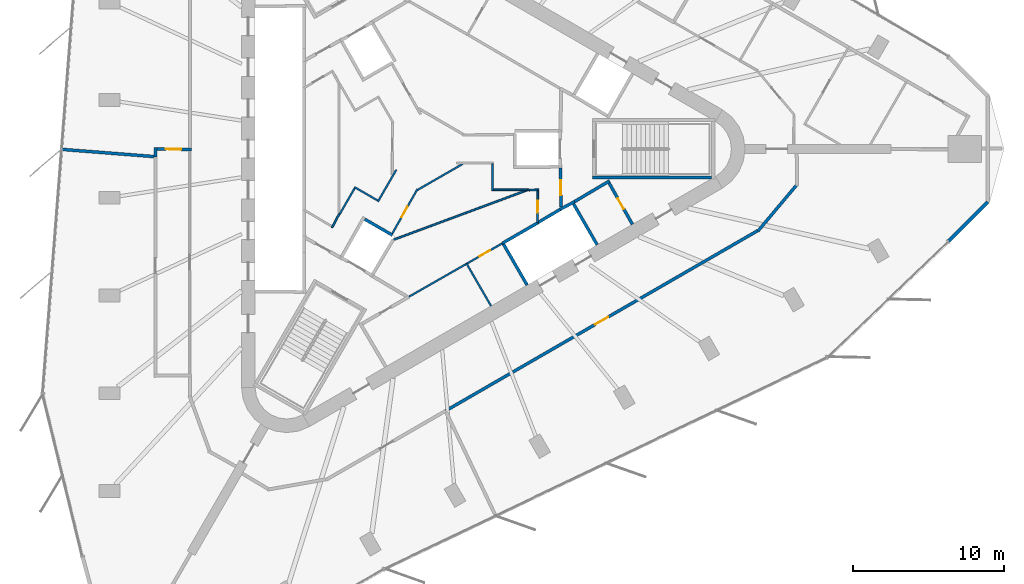
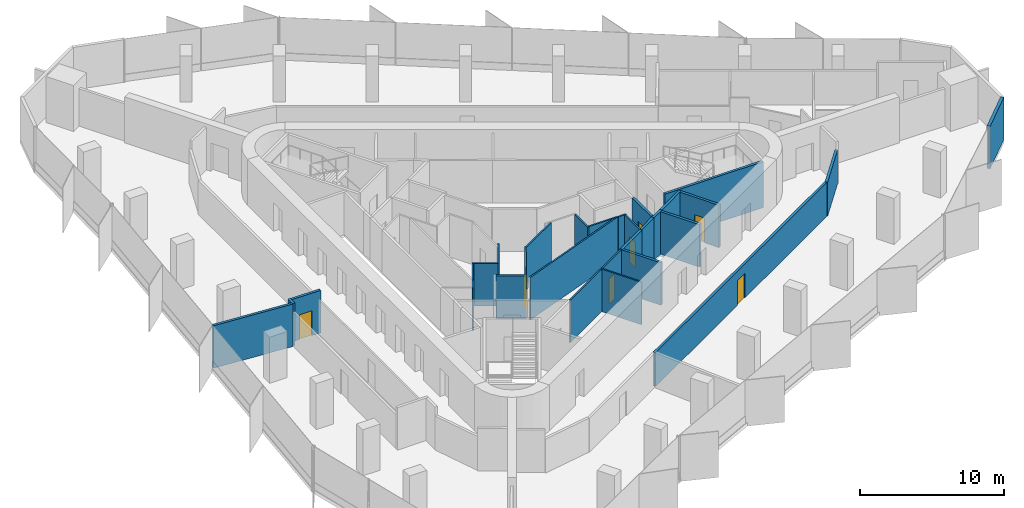
# One storey, part 9 of 14: 29 walls, 7 doors, 7 openings.
"""IFC4 building model written with IfcOpenShell, lengths in metres."""

from ifc_helpers import new_model, si_unit, direction, frame, frame_2d, origin, place, context, subcontext, project, spatial, rectangle, extrude, material, layer, layer_set, type_object, element, fill, save


model = new_model("IFC4")

# Units and contexts
model_context = context("Model", 3, precision=1e-05, world=origin(), true_north=direction((0.0, 1.0)))
body_context = subcontext(model_context, "Body", "Model", "MODEL_VIEW")
ifc_project = project(units=[si_unit("LENGTHUNIT", "METRE"), si_unit("AREAUNIT", "SQUARE_METRE"), si_unit("VOLUMEUNIT", "CUBIC_METRE"), si_unit("PLANEANGLEUNIT", "RADIAN"), si_unit("MASSUNIT", "GRAM", prefix="KILO")], contexts=[model_context])

# Site, building, storey
site_placement = place(None, origin())
site = spatial("IfcSite", under=ifc_project, at=site_placement, CompositionType="ELEMENT")
building_placement = place(site_placement, origin())
building = spatial("IfcBuilding", under=site, at=building_placement, Name="Tanit Gate Tower", CompositionType="ELEMENT")
storey_placement = place(building_placement, frame((0.0, 0.0, 306.5)))
storey = spatial("IfcBuildingStorey", under=building, at=storey_placement, Name="L68", CompositionType="ELEMENT", Elevation=306.5)

# Walls
ifc_material_1 = material(Name="Concrete C30/37 with bronze anodised aluminium cladding", Category="concrete")
ifc_layer_1 = layer(ifc_material_1, 0.239990234375)
ifc_layer_set_1 = layer_set([ifc_layer_1], Name="Facade wall bronze clad 240")
wall_type_1 = type_object("IfcWallType", Name="Facade wall bronze clad 240", PredefinedType="SOLIDWALL", material=ifc_layer_set_1)
wall_1_placement = place(storey_placement, frame((34.6767578125, -6.097900390625, 0.0), z_axis=(0.0, 0.0, 1.0), x_axis=(0.707106781187, 0.707106781187, 0.0)))
element("IfcWall", 1, at=wall_1_placement, inside=storey, type_object=wall_type_1, Name="Bronze-clad facade wall L68 E.arc1", PredefinedType="SOLIDWALL", context=body_context, shape_type="SweptSolid", body=[
    extrude(rectangle(XDim=3.66259765625, YDim=0.239990234375, at=frame_2d((1.831298828125, 0.0))), origin(), (0.0, 0.0, 1.0), 3.60009765625),
])
ifc_material_2 = material(Name="Fire-rated gypsum board partition")
ifc_layer_2 = layer(ifc_material_2, 0.199951171875)
ifc_layer_set_2 = layer_set([ifc_layer_2], Name="INT-WALL-COMPARTMENT")
wall_type_2 = type_object("IfcWallType", Name="INT-WALL-COMPARTMENT", PredefinedType="PARTITIONING", material=ifc_layer_set_2)
wall_2_placement = place(storey_placement, frame((12.244873046875, -2.10888671875, 0.0), z_axis=(0.0, 0.0, 1.0), x_axis=(-0.860414880418, -0.509594185166, 0.0)))
element("IfcWall", 2, at=wall_2_placement, inside=storey, type_object=wall_type_2, Name="Wall Compartment W057", PredefinedType="PARTITIONING", context=body_context, shape_type="SweptSolid", body=[
    extrude(rectangle(XDim=2.7001953125, YDim=0.199951171875, at=frame_2d((1.35009765625, 0.0))), origin(), (0.0, 0.0, 1.0), 3.60009765625),
])

# Wall, opening, door
wall_3_placement = place(storey_placement, frame((13.758056640625, -4.989501953125, 0.0), z_axis=(0.0, 0.0, 1.0), x_axis=(-0.491993409184, 0.87059892334, 0.0)))
wall_3 = element("IfcWall", 3, at=wall_3_placement, inside=storey, type_object=wall_type_2, Name="Wall Compartment W058", PredefinedType="PARTITIONING", context=body_context, shape_type="SweptSolid", body=[
    extrude(rectangle(XDim=3.150146484375, YDim=0.199951171875, at=frame_2d((1.5751953125, 0.0))), origin(), (0.0, 0.0, 1.0), 3.60009765625),
])
opening_1_placement = place(wall_3_placement, frame((1.175048828125, 0.0, 0.0)))
opening_1 = element("IfcOpeningElement", 4, at=opening_1_placement, cuts=wall_3, Name="Opening R08-S18-20", PredefinedType="OPENING", context=body_context, shape_type="SweptSolid", body=[
    extrude(rectangle(XDim=0.800048828125, YDim=2.10009765625, at=frame_2d((0.39990234375, 1.050048828125))), frame((0.0, 0.10986328125, 0.0), z_axis=(0.0, -1.0, 0.0), x_axis=(1.0, 0.0, 0.0)), (0.0, 0.0, 1.0), 0.219970703125),
])
ifc_material_3 = material(Name="Timber door leaf", Category="wood")
door_type_1 = type_object("IfcDoorType", Name="INT-DOOR-RISER-800", OperationType="NOTDEFINED", PredefinedType="USERDEFINED", material=ifc_material_3)
door_1_placement = place(opening_1_placement, origin())
door_1 = element("IfcDoor", 5, at=door_1_placement, inside=storey, type_object=door_type_1, Name="Door R08-S18-20", ObjectType="FIRE DOOR", OperationType="SINGLE_SWING_RIGHT", OverallHeight=2.10009765625, OverallWidth=0.800048828125, PredefinedType="USERDEFINED", context=body_context, shape_type="SweptSolid", body=[
    extrude(rectangle(XDim=0.800048828125, YDim=2.10009765625, at=frame_2d((0.39990234375, 1.050048828125))), frame((0.0, 0.02490234375, 0.0), z_axis=(0.0, -1.0, 0.0), x_axis=(1.0, 0.0, 0.0)), (0.0, 0.0, 1.0), 0.050048828125),
])
fill(opening_1, door_1)

wall_4_placement = place(storey_placement, frame((9.02880859375, -3.850830078125, 0.0), z_axis=(0.0, 0.0, 1.0), x_axis=(-0.010783593937, 0.99994185536, 0.0)))
wall_4 = element("IfcWall", 6, at=wall_4_placement, inside=storey, type_object=wall_type_2, Name="Wall Compartment W060", PredefinedType="PARTITIONING", context=body_context, shape_type="SweptSolid", body=[
    extrude(rectangle(XDim=2.5810546875, YDim=0.199951171875, at=frame_2d((1.29052734375, 0.0))), origin(), (0.0, 0.0, 1.0), 3.60009765625),
])
opening_2_placement = place(wall_4_placement, frame((0.79052734375, 0.0, 0.0)))
opening_2 = element("IfcOpeningElement", 7, at=opening_2_placement, cuts=wall_4, Name="Opening F10-S18-02", PredefinedType="OPENING", context=body_context, shape_type="SweptSolid", body=[
    extrude(rectangle(XDim=1.0, YDim=2.10009765625, at=frame_2d((0.5, 1.050048828125))), frame((0.0, 0.10986328125, 0.0), z_axis=(0.0, -1.0, 0.0), x_axis=(1.0, 0.0, 0.0)), (0.0, 0.0, 1.0), 0.219970703125),
])
ifc_material_4 = material(Name="Fire-rated steel door leaf", Category="steel")
door_type_2 = type_object("IfcDoorType", Name="INT-DOOR-FIRE-1000", OperationType="NOTDEFINED", PredefinedType="USERDEFINED", material=ifc_material_4)
door_2_placement = place(opening_2_placement, origin())
door_2 = element("IfcDoor", 8, at=door_2_placement, inside=storey, type_object=door_type_2, Name="Door F10-S18-02", ObjectType="FIRE DOOR", OperationType="SINGLE_SWING_RIGHT", OverallHeight=2.10009765625, OverallWidth=1.0, PredefinedType="USERDEFINED", context=body_context, shape_type="SweptSolid", body=[
    extrude(rectangle(XDim=1.0, YDim=2.10009765625, at=frame_2d((0.5, 1.050048828125))), frame((0.0, 0.02490234375, 0.0), z_axis=(0.0, -1.0, 0.0), x_axis=(1.0, 0.0, 0.0)), (0.0, 0.0, 1.0), 0.050048828125),
])
fill(opening_2, door_2)

# Wall
wall_5_placement = place(storey_placement, frame((-17.800048828125, 0.10009765625, 0.0), z_axis=(0.0, 0.0, 1.0), x_axis=(0.0, -1.0, 0.0)))
element("IfcWall", 9, at=wall_5_placement, inside=storey, type_object=wall_type_2, Name="Wall Compartment W091", PredefinedType="PARTITIONING", context=body_context, shape_type="SweptSolid", body=[
    extrude(rectangle(XDim=0.635009765625, YDim=0.199951171875, at=frame_2d((0.3173828125, 0.0))), origin(), (0.0, 0.0, 1.0), 3.60009765625),
])

# Wall, opening, door
wall_6_placement = place(storey_placement, frame((-15.39990234375, -0.03125, 0.0), z_axis=(0.0, 0.0, 1.0), x_axis=(-0.999914782125, 0.013054826261, 0.0)))
wall_6 = element("IfcWall", 10, at=wall_6_placement, inside=storey, type_object=wall_type_2, Name="Wall Compartment W092", PredefinedType="PARTITIONING", context=body_context, shape_type="SweptSolid", body=[
    extrude(rectangle(XDim=2.30029296875, YDim=0.199951171875, at=frame_2d((1.150146484375, 0.0))), origin(), (0.0, 0.0, 1.0), 3.60009765625),
])
opening_3_placement = place(wall_6_placement, frame((0.7001953125, 0.0, 0.0)))
opening_3 = element("IfcOpeningElement", 11, at=opening_3_placement, cuts=wall_6, Name="Opening F10-S18-27", PredefinedType="OPENING", context=body_context, shape_type="SweptSolid", body=[
    extrude(rectangle(XDim=1.0, YDim=2.10009765625, at=frame_2d((0.5, 1.050048828125))), frame((0.0, 0.10986328125, 0.0), z_axis=(0.0, -1.0, 0.0), x_axis=(1.0, 0.0, 0.0)), (0.0, 0.0, 1.0), 0.219970703125),
])
door_3_placement = place(opening_3_placement, origin())
door_3 = element("IfcDoor", 12, at=door_3_placement, inside=storey, type_object=door_type_2, Name="Door F10-S18-27", ObjectType="FIRE DOOR", OperationType="SINGLE_SWING_RIGHT", OverallHeight=2.10009765625, OverallWidth=1.0, PredefinedType="USERDEFINED", context=body_context, shape_type="SweptSolid", body=[
    extrude(rectangle(XDim=1.0, YDim=2.10009765625, at=frame_2d((0.5, 1.050048828125))), frame((0.0, 0.02490234375, 0.0), z_axis=(0.0, -1.0, 0.0), x_axis=(1.0, 0.0, 0.0)), (0.0, 0.0, 1.0), 0.050048828125),
])
fill(opening_3, door_3)

# Wall
wall_7_placement = place(storey_placement, frame((22.05419921875, -5.435302734375, 0.0), z_axis=(0.0, 0.0, 1.0), x_axis=(0.642790979996, 0.766041615081, 0.0)))
element("IfcWall", 13, at=wall_7_placement, inside=storey, type_object=wall_type_2, Name="Wall Compartment W107", PredefinedType="PARTITIONING", context=body_context, shape_type="SweptSolid", body=[
    extrude(rectangle(XDim=3.9833984375, YDim=0.199951171875, at=frame_2d((1.99169921875, 0.0))), origin(), (0.0, 0.0, 1.0), 2.8798828125),
])

# Wall, opening, door
wall_8_placement = place(storey_placement, frame((1.415283203125, -17.311767578125, 0.0), z_axis=(0.0, 0.0, 1.0), x_axis=(0.866022488339, 0.500005049665, 0.0)))
wall_8 = element("IfcWall", 14, at=wall_8_placement, inside=storey, type_object=wall_type_2, Name="Wall Compartment W108", PredefinedType="PARTITIONING", context=body_context, shape_type="SweptSolid", body=[
    extrude(rectangle(XDim=23.805908203125, YDim=0.199951171875, at=frame_2d((11.90283203125, 0.0))), origin(), (0.0, 0.0, 1.0), 2.8798828125),
])
opening_4_placement = place(wall_8_placement, frame((11.40283203125, 0.0, 0.0)))
opening_4 = element("IfcOpeningElement", 15, at=opening_4_placement, cuts=wall_8, Name="Opening F10-S18-29", PredefinedType="OPENING", context=body_context, shape_type="SweptSolid", body=[
    extrude(rectangle(XDim=1.0, YDim=2.10009765625, at=frame_2d((0.5, 1.050048828125))), frame((0.0, 0.10986328125, 0.0), z_axis=(0.0, -1.0, 0.0), x_axis=(1.0, 0.0, 0.0)), (0.0, 0.0, 1.0), 0.219970703125),
])
door_4_placement = place(opening_4_placement, origin())
door_4 = element("IfcDoor", 16, at=door_4_placement, inside=storey, type_object=door_type_2, Name="Door F10-S18-29", ObjectType="FIRE DOOR", OperationType="SINGLE_SWING_RIGHT", OverallHeight=2.10009765625, OverallWidth=1.0, PredefinedType="USERDEFINED", context=body_context, shape_type="SweptSolid", body=[
    extrude(rectangle(XDim=1.0, YDim=2.10009765625, at=frame_2d((0.5, 1.050048828125))), frame((0.0, 0.02490234375, 0.0), z_axis=(0.0, -1.0, 0.0), x_axis=(1.0, 0.0, 0.0)), (0.0, 0.0, 1.0), 0.050048828125),
])
fill(opening_4, door_4)

# Walls
wall_9_placement = place(storey_placement, frame((-23.9921875, -0.027587890625, 0.0), z_axis=(0.0, 0.0, 1.0), x_axis=(0.996966889937, -0.077826861489, 0.0)))
element("IfcWall", 17, at=wall_9_placement, inside=storey, type_object=wall_type_2, Name="Wall Compartment W112", PredefinedType="PARTITIONING", context=body_context, shape_type="SweptSolid", body=[
    extrude(rectangle(XDim=6.11083984375, YDim=0.199951171875, at=frame_2d((3.055419921875, 0.0))), origin(), (0.0, 0.0, 1.0), 3.60009765625),
])
ifc_material_5 = material(Name="Gypsum board partition")
ifc_layer_3 = layer(ifc_material_5, 0.1201171875)
ifc_layer_set_3 = layer_set([ifc_layer_3], Name="INT-WALL-PARTITION")
wall_type_3 = type_object("IfcWallType", Name="INT-WALL-PARTITION", PredefinedType="PARTITIONING", material=ifc_layer_set_3)
wall_10_placement = place(storey_placement, frame((4.40478515625, -10.389404296875, 0.0), z_axis=(0.0, 0.0, 1.0), x_axis=(-0.500017246033, 0.866015446554, 0.0)))
element("IfcWall", 18, at=wall_10_placement, inside=storey, type_object=wall_type_3, Name="Wall Partition W052", PredefinedType="PARTITIONING", context=body_context, shape_type="SweptSolid", body=[
    extrude(rectangle(XDim=3.25, YDim=0.1201171875, at=frame_2d((1.625, 0.0))), origin(), (0.0, 0.0, 1.0), 3.60009765625),
])

# Wall, opening, door
wall_11_placement = place(storey_placement, frame((-1.02392578125, -9.771240234375, 0.0), z_axis=(0.0, 0.0, 1.0), x_axis=(0.868110220015, 0.496371479746, 0.0)))
wall_11 = element("IfcWall", 19, at=wall_11_placement, inside=storey, type_object=wall_type_3, Name="Wall Partition W055", PredefinedType="PARTITIONING", context=body_context, shape_type="SweptSolid", body=[
    extrude(rectangle(XDim=7.12255859375, YDim=0.1201171875, at=frame_2d((3.561279296875, 0.0))), origin(), (0.0, 0.0, 1.0), 3.60009765625),
])
opening_5_placement = place(wall_11_placement, frame((5.37255859375, 0.0, 0.0)))
opening_5 = element("IfcOpeningElement", 20, at=opening_5_placement, cuts=wall_11, Name="Opening R08-S18-19", PredefinedType="OPENING", context=body_context, shape_type="SweptSolid", body=[
    extrude(rectangle(XDim=0.800048828125, YDim=2.10009765625, at=frame_2d((0.39990234375, 1.050048828125))), frame((0.0, 0.070068359375, 0.0), z_axis=(0.0, -1.0, 0.0), x_axis=(1.0, 0.0, 0.0)), (0.0, 0.0, 1.0), 0.14013671875),
])
door_5_placement = place(opening_5_placement, origin())
door_5 = element("IfcDoor", 21, at=door_5_placement, inside=storey, type_object=door_type_1, Name="Door R08-S18-19", ObjectType="FIRE DOOR", OperationType="SINGLE_SWING_RIGHT", OverallHeight=2.10009765625, OverallWidth=0.800048828125, PredefinedType="USERDEFINED", context=body_context, shape_type="SweptSolid", body=[
    extrude(rectangle(XDim=0.800048828125, YDim=2.10009765625, at=frame_2d((0.39990234375, 1.050048828125))), frame((0.0, 0.02490234375, 0.0), z_axis=(0.0, -1.0, 0.0), x_axis=(1.0, 0.0, 0.0)), (0.0, 0.0, 1.0), 0.050048828125),
])
fill(opening_5, door_5)

# Wall
wall_12_placement = place(storey_placement, frame((6.9052734375, -2.67919921875, 0.0), z_axis=(0.0, 0.0, 1.0), x_axis=(-0.937260745886, -0.348629164331, 0.0)))
element("IfcWall", 22, at=wall_12_placement, inside=storey, type_object=wall_type_3, Name="Wall Partition W068", PredefinedType="PARTITIONING", context=body_context, shape_type="SweptSolid", body=[
    extrude(rectangle(XDim=9.540771484375, YDim=0.1201171875, at=frame_2d((4.7705078125, 0.0))), origin(), (0.0, 0.0, 1.0), 3.60009765625),
])

# Wall, opening, door
wall_13_placement = place(storey_placement, frame((-0.4658203125, -2.655029296875, 0.0), z_axis=(0.0, 0.0, 1.0), x_axis=(-0.49235580986, -0.870394023703, 0.0)))
wall_13 = element("IfcWall", 23, at=wall_13_placement, inside=storey, type_object=wall_type_3, Name="Wall Partition W069", PredefinedType="PARTITIONING", context=body_context, shape_type="SweptSolid", body=[
    extrude(rectangle(XDim=3.367919921875, YDim=0.1201171875, at=frame_2d((1.68408203125, 0.0))), origin(), (0.0, 0.0, 1.0), 3.60009765625),
])
opening_6_placement = place(wall_13_placement, frame((1.334716796875, 0.0, 0.0)))
opening_6 = element("IfcOpeningElement", 24, at=opening_6_placement, cuts=wall_13, Name="Opening R08-S18-11", PredefinedType="OPENING", context=body_context, shape_type="SweptSolid", body=[
    extrude(rectangle(XDim=0.800048828125, YDim=2.10009765625, at=frame_2d((0.39990234375, 1.050048828125))), frame((0.0, 0.070068359375, 0.0), z_axis=(0.0, -1.0, 0.0), x_axis=(1.0, 0.0, 0.0)), (0.0, 0.0, 1.0), 0.14013671875),
])
door_6_placement = place(opening_6_placement, origin())
door_6 = element("IfcDoor", 25, at=door_6_placement, inside=storey, type_object=door_type_1, Name="Door R08-S18-11", ObjectType="FIRE DOOR", OperationType="SINGLE_SWING_RIGHT", OverallHeight=2.10009765625, OverallWidth=0.800048828125, PredefinedType="USERDEFINED", context=body_context, shape_type="SweptSolid", body=[
    extrude(rectangle(XDim=0.800048828125, YDim=2.10009765625, at=frame_2d((0.39990234375, 1.050048828125))), frame((0.0, 0.02490234375, 0.0), z_axis=(0.0, -1.0, 0.0), x_axis=(1.0, 0.0, 0.0)), (0.0, 0.0, 1.0), 0.050048828125),
])
fill(opening_6, door_6)

# Walls
wall_14_placement = place(storey_placement, frame((2.53857421875, -0.985107421875, 0.0), z_axis=(0.0, 0.0, 1.0), x_axis=(-0.866657135765, -0.498904208268, 0.0)))
element("IfcWall", 26, at=wall_14_placement, inside=storey, type_object=wall_type_3, Name="Wall Partition W070", PredefinedType="PARTITIONING", context=body_context, shape_type="SweptSolid", body=[
    extrude(rectangle(XDim=3.505126953125, YDim=0.1201171875, at=frame_2d((1.75244140625, 0.0))), origin(), (0.0, 0.0, 1.0), 3.60009765625),
])
wall_15_placement = place(storey_placement, frame((4.5, -2.760009765625, 0.0), z_axis=(0.0, 0.0, 1.0), x_axis=(0.0, 1.0, 0.0)))
element("IfcWall", 27, at=wall_15_placement, inside=storey, type_object=wall_type_3, Name="Wall Partition W072", PredefinedType="PARTITIONING", context=body_context, shape_type="SweptSolid", body=[
    extrude(rectangle(XDim=1.77490234375, YDim=0.1201171875, at=frame_2d((0.887451171875, 0.0))), origin(), (0.0, 0.0, 1.0), 3.60009765625),
])
wall_16_placement = place(storey_placement, frame((6.7890625, -2.699951171875, 0.0), z_axis=(0.0, 0.0, 1.0), x_axis=(-1.0, 0.0, 0.0)))
element("IfcWall", 28, at=wall_16_placement, inside=storey, type_object=wall_type_3, Name="Wall Partition W073", PredefinedType="PARTITIONING", context=body_context, shape_type="SweptSolid", body=[
    extrude(rectangle(XDim=2.22900390625, YDim=0.1201171875, at=frame_2d((1.114501953125, 0.0))), origin(), (0.0, 0.0, 1.0), 3.60009765625),
])
wall_17_placement = place(storey_placement, frame((7.563232421875, -2.697509765625, 0.0), z_axis=(0.0, 0.0, 1.0), x_axis=(-0.999184595054, -0.040375054253, 0.0)))
element("IfcWall", 29, at=wall_17_placement, inside=storey, type_object=wall_type_3, Name="Wall Partition W074", PredefinedType="PARTITIONING", context=body_context, shape_type="SweptSolid", body=[
    extrude(rectangle(XDim=0.622802734375, YDim=0.1201171875, at=frame_2d((0.3115234375, 0.0))), origin(), (0.0, 0.0, 1.0), 3.60009765625),
])

# Wall, opening, door
wall_18_placement = place(storey_placement, frame((7.474609375, -4.864501953125, 0.0), z_axis=(0.0, 0.0, 1.0), x_axis=(0.011716133148, 0.999931363757, 0.0)))
wall_18 = element("IfcWall", 30, at=wall_18_placement, inside=storey, type_object=wall_type_3, Name="Wall Partition W075", PredefinedType="PARTITIONING", context=body_context, shape_type="SweptSolid", body=[
    extrude(rectangle(XDim=2.104736328125, YDim=0.1201171875, at=frame_2d((1.05224609375, 0.0))), origin(), (0.0, 0.0, 1.0), 3.60009765625),
])
opening_7_placement = place(wall_18_placement, frame((0.65234375, 0.0, 0.0)))
opening_7 = element("IfcOpeningElement", 31, at=opening_7_placement, cuts=wall_18, Name="Opening R08-S18-12", PredefinedType="OPENING", context=body_context, shape_type="SweptSolid", body=[
    extrude(rectangle(XDim=0.800048828125, YDim=2.10009765625, at=frame_2d((0.39990234375, 1.050048828125))), frame((0.0, 0.070068359375, 0.0), z_axis=(0.0, -1.0, 0.0), x_axis=(1.0, 0.0, 0.0)), (0.0, 0.0, 1.0), 0.14013671875),
])
door_7_placement = place(opening_7_placement, origin())
door_7 = element("IfcDoor", 32, at=door_7_placement, inside=storey, type_object=door_type_1, Name="Door R08-S18-12", ObjectType="FIRE DOOR", OperationType="SINGLE_SWING_RIGHT", OverallHeight=2.10009765625, OverallWidth=0.800048828125, PredefinedType="USERDEFINED", context=body_context, shape_type="SweptSolid", body=[
    extrude(rectangle(XDim=0.800048828125, YDim=2.10009765625, at=frame_2d((0.39990234375, 1.050048828125))), frame((0.0, 0.02490234375, 0.0), z_axis=(0.0, -1.0, 0.0), x_axis=(1.0, 0.0, 0.0)), (0.0, 0.0, 1.0), 0.050048828125),
])
fill(opening_7, door_7)

# Walls
wall_19_placement = place(storey_placement, frame((-6.11669921875, -5.197998046875, 0.0), z_axis=(0.0, 0.0, 1.0), x_axis=(0.473067931341, 0.881025954406, 0.0)))
element("IfcWall", 33, at=wall_19_placement, inside=storey, type_object=wall_type_3, Name="Wall Partition W077", PredefinedType="PARTITIONING", context=body_context, shape_type="SweptSolid", body=[
    extrude(rectangle(XDim=1.01611328125, YDim=0.1201171875, at=frame_2d((0.508056640625, 0.0))), origin(), (0.0, 0.0, 1.0), 3.60009765625),
])
wall_20_placement = place(storey_placement, frame((-3.0810546875, -3.486572265625, 0.0), z_axis=(0.0, 0.0, 1.0), x_axis=(0.499962263673, 0.866047189767, 0.0)))
element("IfcWall", 34, at=wall_20_placement, inside=storey, type_object=wall_type_3, Name="Wall Partition W085", PredefinedType="PARTITIONING", context=body_context, shape_type="SweptSolid", body=[
    extrude(rectangle(XDim=2.438232421875, YDim=0.1201171875, at=frame_2d((1.21923828125, 0.0))), origin(), (0.0, 0.0, 1.0), 3.60009765625),
])
wall_21_placement = place(storey_placement, frame((-4.64013671875, -2.51708984375, 0.0), z_axis=(0.0, 0.0, 1.0), x_axis=(0.866025242659, -0.500000279077, 0.0)))
element("IfcWall", 35, at=wall_21_placement, inside=storey, type_object=wall_type_3, Name="Wall Partition W086", PredefinedType="PARTITIONING", context=body_context, shape_type="SweptSolid", body=[
    extrude(rectangle(XDim=1.77490234375, YDim=0.1201171875, at=frame_2d((0.887451171875, 0.0))), origin(), (0.0, 0.0, 1.0), 3.60009765625),
])
wall_22_placement = place(storey_placement, frame((-5.635986328125, -4.361572265625, 0.0), z_axis=(0.0, 0.0, 1.0), x_axis=(0.500099717341, 0.865967824295, 0.0)))
element("IfcWall", 36, at=wall_22_placement, inside=storey, type_object=wall_type_3, Name="Wall Partition W087", PredefinedType="PARTITIONING", context=body_context, shape_type="SweptSolid", body=[
    extrude(rectangle(XDim=2.03515625, YDim=0.1201171875, at=frame_2d((1.017578125, 0.0))), origin(), (0.0, 0.0, 1.0), 3.60009765625),
])
ifc_material_6 = material(Name="Gypsum shaft wall system")
ifc_layer_4 = layer(ifc_material_6, 0.199951171875)
ifc_layer_set_4 = layer_set([ifc_layer_4], Name="INT-WALL-SHAFT")
wall_type_4 = type_object("IfcWallType", Name="INT-WALL-SHAFT", PredefinedType="PLUMBINGWALL", material=ifc_layer_set_4)
wall_23_placement = place(storey_placement, frame((6.795166015625, -9.009521484375, 0.0), z_axis=(0.0, 0.0, 1.0), x_axis=(-0.499984717929, 0.866034226713, 0.0)))
element("IfcWall", 37, at=wall_23_placement, inside=storey, type_object=wall_type_4, Name="Wall Shaft W015", PredefinedType="PLUMBINGWALL", context=body_context, shape_type="SweptSolid", body=[
    extrude(rectangle(XDim=3.25, YDim=0.199951171875, at=frame_2d((1.625, 0.0))), origin(), (0.0, 0.0, 1.0), 3.60009765625),
])
wall_24_placement = place(storey_placement, frame((5.1591796875, -6.23583984375, 0.0), z_axis=(0.0, 0.0, 1.0), x_axis=(0.866036505625, 0.499980770555, 0.0)))
element("IfcWall", 38, at=wall_24_placement, inside=storey, type_object=wall_type_4, Name="Wall Shaft W016", PredefinedType="PLUMBINGWALL", context=body_context, shape_type="SweptSolid", body=[
    extrude(rectangle(XDim=2.69970703125, YDim=0.199951171875, at=frame_2d((1.349853515625, 0.0))), origin(), (0.0, 0.0, 1.0), 3.60009765625),
])
wall_25_placement = place(storey_placement, frame((9.794677734375, -3.52490234375, 0.0), z_axis=(0.0, 0.0, 1.0), x_axis=(0.499984717929, -0.866034226713, 0.0)))
element("IfcWall", 39, at=wall_25_placement, inside=storey, type_object=wall_type_4, Name="Wall Shaft W017", PredefinedType="PLUMBINGWALL", context=body_context, shape_type="SweptSolid", body=[
    extrude(rectangle(XDim=3.25, YDim=0.199951171875, at=frame_2d((1.625, 0.0))), origin(), (0.0, 0.0, 1.0), 3.60009765625),
])
wall_26_placement = place(storey_placement, frame((8.97412109375, -3.998779296875, 0.0), z_axis=(0.0, 0.0, 1.0), x_axis=(0.880907015104, 0.473289373154, 0.0)))
element("IfcWall", 40, at=wall_26_placement, inside=storey, type_object=wall_type_4, Name="Wall Shaft W018", PredefinedType="PLUMBINGWALL", context=body_context, shape_type="SweptSolid", body=[
    extrude(rectangle(XDim=1.078125, YDim=0.199951171875, at=frame_2d((0.5390625, 0.0))), origin(), (0.0, 0.0, 1.0), 3.60009765625),
])
wall_27_placement = place(storey_placement, frame((7.4931640625, -4.87841796875, 0.0), z_axis=(0.0, 0.0, 1.0), x_axis=(0.859981807212, 0.510324691999, 0.0)))
element("IfcWall", 41, at=wall_27_placement, inside=storey, type_object=wall_type_4, Name="Wall Shaft W019", PredefinedType="PLUMBINGWALL", context=body_context, shape_type="SweptSolid", body=[
    extrude(rectangle(XDim=1.8447265625, YDim=0.199951171875, at=frame_2d((0.92236328125, 0.0))), origin(), (0.0, 0.0, 1.0), 3.60009765625),
])
wall_28_placement = place(storey_placement, frame((-3.95263671875, -4.646240234375, 0.0), z_axis=(0.0, 0.0, 1.0), x_axis=(0.866060616833, -0.499939004251, 0.0)))
element("IfcWall", 42, at=wall_28_placement, inside=storey, type_object=wall_type_4, Name="Wall Shaft W043", PredefinedType="PLUMBINGWALL", context=body_context, shape_type="SweptSolid", body=[
    extrude(rectangle(XDim=2.114501953125, YDim=0.199951171875, at=frame_2d((1.05712890625, 0.0))), origin(), (0.0, 0.0, 1.0), 3.60009765625),
])
ifc_material_7 = material(Name="Concrete C40/50", Category="concrete")
ifc_layer_5 = layer(ifc_material_7, 0.199951171875)
ifc_layer_set_5 = layer_set([ifc_layer_5], Name="INT-WALL-STAIR")
wall_type_5 = type_object("IfcWallType", Name="INT-WALL-STAIR", PredefinedType="SHEAR", material=ifc_layer_set_5)
wall_29_placement = place(storey_placement, frame((11.10009765625, -1.89990234375, -0.300048828125), z_axis=(0.0, 0.0, 1.0), x_axis=(1.0, 0.0, 0.0)))
element("IfcWall", 43, at=wall_29_placement, inside=storey, type_object=wall_type_5, Name="Wall Stair W022", PredefinedType="SHEAR", context=body_context, shape_type="SweptSolid", body=[
    extrude(rectangle(XDim=7.89990234375, YDim=0.199951171875, at=frame_2d((3.949951171875, 0.0))), origin(), (0.0, 0.0, 1.0), 3.900146484375),
])

save(model, "model.ifc")
